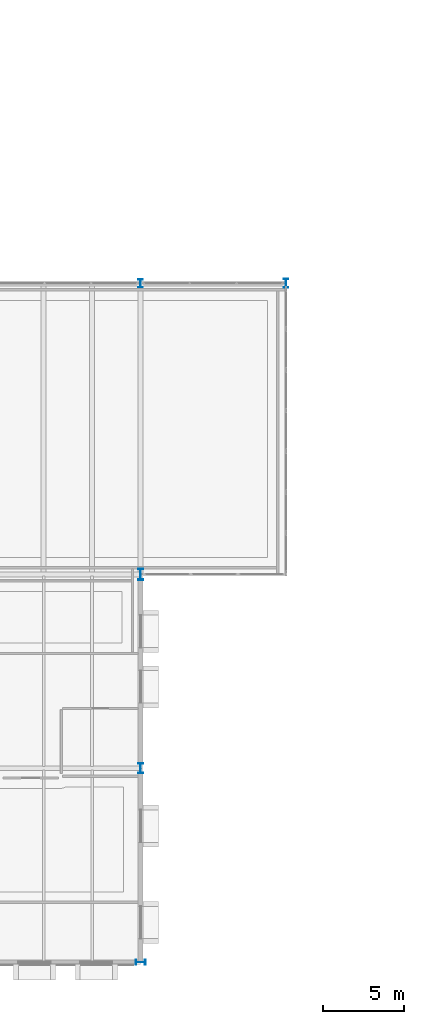
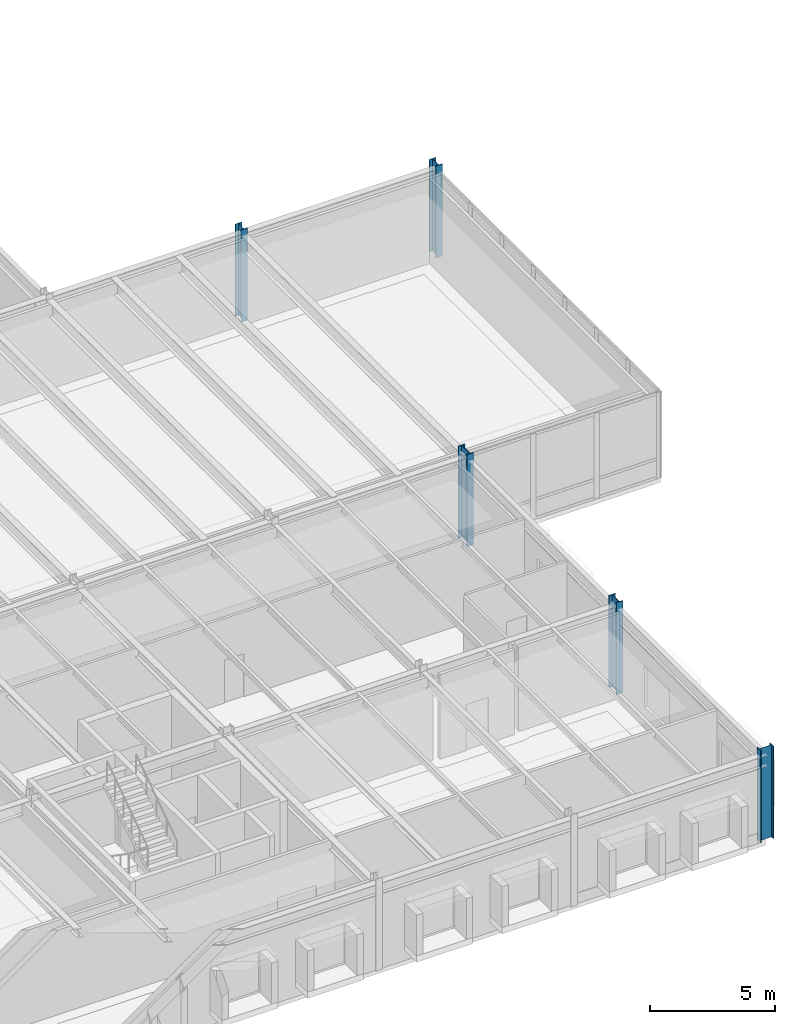
# One storey, part 16 of 127: 5 columns.
"""IFC4 building model written with IfcOpenShell, lengths in metres."""

from ifc_helpers import new_model, si_unit, direction, frame, origin, origin_2d, place, context, subcontext, project, spatial, i_section, extrude, material, material_profile, profile_set, type_object, element, save


model = new_model("IFC4")

# Units and contexts
model_context = context("Model", 3, precision=1e-05, world=origin(), true_north=direction((0.0, 1.0)))
body_context = subcontext(model_context, "Body", "Model", "MODEL_VIEW")
ifc_project = project(units=[si_unit("LENGTHUNIT", "METRE"), si_unit("AREAUNIT", "SQUARE_METRE"), si_unit("VOLUMEUNIT", "CUBIC_METRE"), si_unit("PLANEANGLEUNIT", "RADIAN"), si_unit("MASSUNIT", "GRAM", prefix="KILO")], contexts=[model_context])

# Site, building, storey
site_placement = place(None, origin())
site = spatial("IfcSite", under=ifc_project, at=site_placement, CompositionType="ELEMENT")
building_placement = place(site_placement, origin())
building = spatial("IfcBuilding", under=site, at=building_placement, Name="Montelvaro Courts of Justice", CompositionType="ELEMENT")
storey_placement = place(building_placement, frame((0.0, 0.0, 5.39990234375)))
storey = spatial("IfcBuildingStorey", under=building, at=storey_placement, Name="L01", CompositionType="ELEMENT", Elevation=5.39990234375)

# Columns
ifc_material = material(Name="Steel S355", Category="steel")
ifc_material_profile_1 = material_profile(ifc_material, i_section(OverallWidth=0.300048828125, OverallDepth=0.5, WebThickness=0.014404296875, FlangeThickness=0.028076171875, at=origin_2d()), Name="HEB 500")
ifc_profile_set_1 = profile_set([ifc_material_profile_1], Name="Steel S355")
column_type_1 = type_object("IfcColumnType", Name="Col_HEB500", PredefinedType="COLUMN", material=ifc_profile_set_1)
column_1_placement = place(storey_placement, frame((135.0, 42.0, 0.0), z_axis=(0.0, 0.0, 1.0), x_axis=(1.0, 0.0, 0.0)))
element("IfcColumn", 1, at=column_1_placement, inside=storey, type_object=column_type_1, Name="Column C-09 L01 16/D", PredefinedType="COLUMN", context=body_context, shape_type="SweptSolid", body=[
    extrude(i_section(OverallWidth=0.300048828125, OverallDepth=0.5, WebThickness=0.014404296875, FlangeThickness=0.028076171875, at=origin_2d()), origin(), (0.0, 0.0, 1.0), 4.5),
])
ifc_material_profile_2 = material_profile(ifc_material, i_section(OverallWidth=0.300048828125, OverallDepth=0.550048828125, WebThickness=0.014892578125, FlangeThickness=0.029052734375, at=origin_2d()), Name="HEB 550")
ifc_profile_set_2 = profile_set([ifc_material_profile_2], Name="Steel S355")
column_type_2 = type_object("IfcColumnType", Name="Col_HEB550", PredefinedType="COLUMN", material=ifc_profile_set_2)
column_2_placement = place(storey_placement, frame((144.0, 42.0, 0.0), z_axis=(0.0, 0.0, 1.0), x_axis=(1.0, 0.0, 0.0)))
element("IfcColumn", 2, at=column_2_placement, inside=storey, type_object=column_type_2, Name="Column C-10 L01 17/D", PredefinedType="COLUMN", context=body_context, shape_type="SweptSolid", body=[
    extrude(i_section(OverallWidth=0.300048828125, OverallDepth=0.550048828125, WebThickness=0.014892578125, FlangeThickness=0.029052734375, at=origin_2d()), origin(), (0.0, 0.0, 1.0), 4.5),
])
ifc_material_profile_3 = material_profile(ifc_material, i_section(OverallWidth=0.304931640625, OverallDepth=0.6201171875, WebThickness=0.02099609375, FlangeThickness=0.0400390625, at=origin_2d()), Name="HEM 600")
ifc_profile_set_3 = profile_set([ifc_material_profile_3], Name="Steel S355")
column_type_3 = type_object("IfcColumnType", Name="Col_HEM600", PredefinedType="COLUMN", material=ifc_profile_set_3)
for number, where, z_axis, x_axis, name in (
    (3, (135.0, 0.0, 0.0), (0.0, 0.0, 1.0), (0.0, 1.0, 0.0), "Column C-15 L01 16/A"),
    (4, (135.0, 12.0, 0.0), (0.0, 0.0, 1.0), (1.0, 0.0, 0.0), "Column C-15 L01 16/B"),
):
    element("IfcColumn", number, at=place(storey_placement, frame(where, z_axis=z_axis, x_axis=x_axis)), inside=storey, type_object=column_type_3, Name=name, PredefinedType="COLUMN", context=body_context, shape_type="SweptSolid", body=[
        extrude(i_section(OverallWidth=0.304931640625, OverallDepth=0.6201171875, WebThickness=0.02099609375, FlangeThickness=0.0400390625, at=origin_2d()), origin(), (0.0, 0.0, 1.0), 4.5),
    ])
ifc_material_profile_4 = material_profile(ifc_material, i_section(OverallWidth=0.303955078125, OverallDepth=0.716064453125, WebThickness=0.02099609375, FlangeThickness=0.0400390625, at=origin_2d()), Name="HEM 700")
ifc_profile_set_4 = profile_set([ifc_material_profile_4], Name="Steel S355")
column_type_4 = type_object("IfcColumnType", Name="Col_HEM700", PredefinedType="COLUMN", material=ifc_profile_set_4)
column_3_placement = place(storey_placement, frame((135.0, 24.0, 0.0), z_axis=(0.0, 0.0, 1.0), x_axis=(1.0, 0.0, 0.0)))
element("IfcColumn", 5, at=column_3_placement, inside=storey, type_object=column_type_4, Name="Column C-16 L01 16/C", PredefinedType="COLUMN", context=body_context, shape_type="SweptSolid", body=[
    extrude(i_section(OverallWidth=0.303955078125, OverallDepth=0.716064453125, WebThickness=0.02099609375, FlangeThickness=0.0400390625, at=origin_2d()), origin(), (0.0, 0.0, 1.0), 4.5),
])

save(model, "model.ifc")
